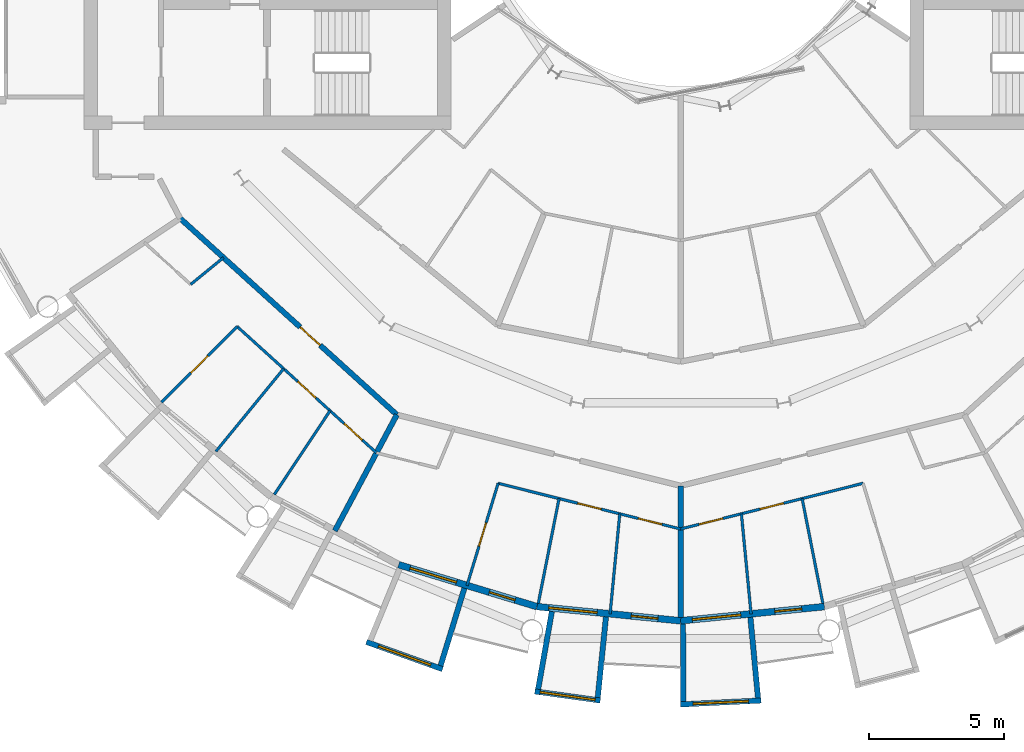
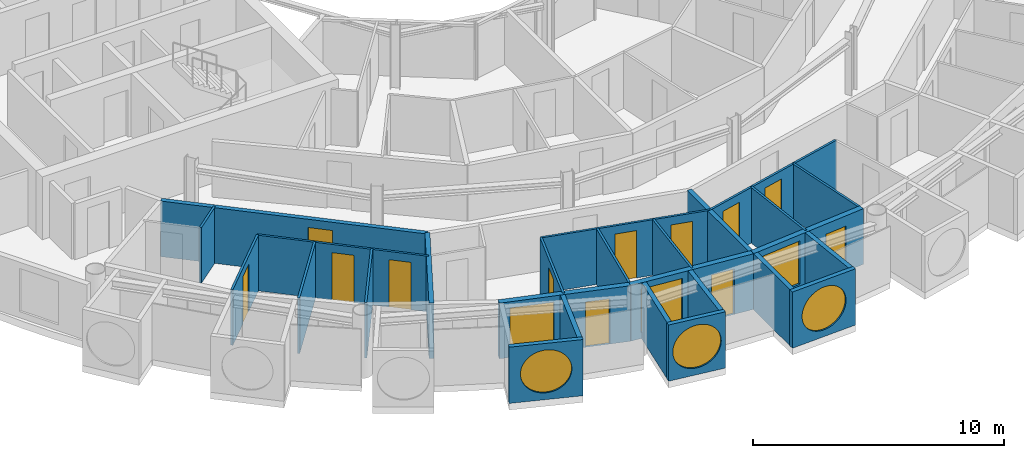
# One storey, part 14 of 27: 26 walls, 12 doors, 6 windows, 18 openings.
"""IFC4 building model written with IfcOpenShell, lengths in metres."""

from ifc_helpers import new_model, si_unit, direction, frame, frame_2d, origin, place, context, subcontext, project, spatial, rectangle, circle, extrude, material, layer, layer_set, type_object, element, fill, save


model = new_model("IFC4")

# Units and contexts
model_context = context("Model", 3, precision=1e-05, world=origin(), true_north=direction((0.0, 1.0)))
body_context = subcontext(model_context, "Body", "Model", "MODEL_VIEW")
ifc_project = project(units=[si_unit("LENGTHUNIT", "METRE"), si_unit("AREAUNIT", "SQUARE_METRE"), si_unit("VOLUMEUNIT", "CUBIC_METRE"), si_unit("PLANEANGLEUNIT", "RADIAN"), si_unit("MASSUNIT", "GRAM", prefix="KILO")], contexts=[model_context])

# Site, building, storey
site_placement = place(None, origin())
site = spatial("IfcSite", under=ifc_project, at=site_placement, CompositionType="ELEMENT")
building_placement = place(site_placement, origin())
building = spatial("IfcBuilding", under=site, at=building_placement, Name="Maasbend Ring Residences", CompositionType="ELEMENT")
storey_placement = place(building_placement, frame((0.0, 0.0, 164.64990234375)))
storey = spatial("IfcBuildingStorey", under=building, at=storey_placement, Name="L47", CompositionType="ELEMENT", Elevation=164.64990234375)

# Wall, opening, door
ifc_material_1 = material(Name="Concrete C30/37", Category="concrete")
ifc_layer_1 = layer(ifc_material_1, 0.199951171875)
ifc_layer_set_1 = layer_set([ifc_layer_1], Name="Concrete C30/37")
wall_type_1 = type_object("IfcWallType", Name="CORRIDOR WALL 200 CONCRETE", PredefinedType="PARTITIONING", material=ifc_layer_set_1)
wall_1_placement = place(storey_placement, frame((-18.5419921875, -12.388916015625, 0.0), z_axis=(0.0, 0.0, 1.0), x_axis=(0.740947367223, -0.671563101283, 0.0)))
wall_1 = element("IfcWall", 1, at=wall_1_placement, inside=storey, type_object=wall_type_1, Name="U-L47-w013", PredefinedType="PARTITIONING", context=body_context, shape_type="SweptSolid", body=[
    extrude(rectangle(XDim=10.83740234375, YDim=0.199951171875, at=frame_2d((5.418701171875, 0.0))), origin(), (0.0, 0.0, 1.0), 2.7001953125),
])
opening_1_placement = place(wall_1_placement, frame((6.001953125, 0.0, 0.0)))
opening_1 = element("IfcOpeningElement", 2, at=opening_1_placement, cuts=wall_1, Name="Opening D-4732", PredefinedType="OPENING", context=body_context, shape_type="SweptSolid", body=[
    extrude(rectangle(XDim=1.0, YDim=2.300048828125, at=frame_2d((0.5, 1.14990234375))), frame((0.0, 0.10986328125, 0.0), z_axis=(0.0, -1.0, 0.0), x_axis=(1.0, 0.0, 0.0)), (0.0, 0.0, 1.0), 0.219970703125),
])
ifc_material_2 = material(Name="Timber, fire-rated, painted", Category="wood")
door_type_1 = type_object("IfcDoorType", Name="FLAT ENTRANCE DOOR 1000 X 2300 FIRE-RATED", OperationType="NOTDEFINED", PredefinedType="DOOR", material=ifc_material_2)
door_1_placement = place(opening_1_placement, origin())
door_1 = element("IfcDoor", 3, at=door_1_placement, inside=storey, type_object=door_type_1, Name="D-4732", OperationType="SINGLE_SWING_RIGHT", OverallHeight=2.300048828125, OverallWidth=1.0, PredefinedType="DOOR", context=body_context, shape_type="SweptSolid", body=[
    extrude(rectangle(XDim=1.0, YDim=2.300048828125, at=frame_2d((0.5, 1.14990234375))), frame((0.0, 0.02490234375, 0.0), z_axis=(0.0, -1.0, 0.0), x_axis=(1.0, 0.0, 0.0)), (0.0, 0.0, 1.0), 0.050048828125),
])
fill(opening_1, door_1)

# Wall, opening, window
ifc_material_3 = material(Name="Pale anodised aluminium panel", Category="aluminium")
ifc_layer_2 = layer(ifc_material_3, 0.199951171875)
ifc_layer_set_2 = layer_set([ifc_layer_2], Name="EW-BOX")
wall_type_2 = type_object("IfcWallType", Name="EW-BOX", PredefinedType="SOLIDWALL", material=ifc_layer_set_2)
wall_2_placement = place(storey_placement, frame((-11.637939453125, -28.083984375, -0.02978515625), z_axis=(0.0, 0.0, 1.0), x_axis=(0.941461077774, -0.337121697664, 0.0)))
wall_2 = element("IfcWall", 4, at=wall_2_placement, inside=storey, type_object=wall_type_2, Name="Box front S07", PredefinedType="SOLIDWALL", context=body_context, shape_type="SweptSolid", body=[
    extrude(rectangle(XDim=2.9931640625, YDim=0.199951171875, at=frame_2d((1.49658203125, 0.0))), origin(), (0.0, 0.0, 1.0), 2.72998046875),
])
opening_2_placement = place(wall_2_placement, frame((0.45654296875, 0.0, 0.330078125)))
opening_2 = element("IfcOpeningElement", 5, at=opening_2_placement, cuts=wall_2, Name="Opening W-RD", PredefinedType="OPENING", context=body_context, shape_type="SweptSolid", body=[
    extrude(circle(Radius=1.0400390625, at=frame_2d((1.0400390625, 1.0400390625))), frame((0.0, 0.10986328125, 0.0), z_axis=(0.0, -1.0, 0.0), x_axis=(1.0, 0.0, 0.0)), (0.0, 0.0, 1.0), 0.219970703125),
])
ifc_material_4 = material(Name="Aluminium and clear glass", Category="aluminium")
window_type_1 = type_object("IfcWindowType", Name="W-RD", PartitioningType="SINGLE_PANEL", PredefinedType="WINDOW", material=ifc_material_4)
window_1_placement = place(opening_2_placement, origin())
window_1 = element("IfcWindow", 6, at=window_1_placement, inside=storey, type_object=window_type_1, Name="Round window S07", OverallHeight=2.080078125, OverallWidth=2.080078125, PartitioningType="SINGLE_PANEL", PredefinedType="WINDOW", context=body_context, shape_type="SweptSolid", body=[
    extrude(circle(Radius=1.0400390625, at=frame_2d((1.0400390625, 1.0400390625))), frame((0.0, 0.030029296875, 0.0), z_axis=(0.0, -1.0, 0.0), x_axis=(1.0, 0.0, 0.0)), (0.0, 0.0, 1.0), 0.06005859375),
])
fill(opening_2, window_1)

# Wall
wall_3_placement = place(storey_placement, frame((-8.009033203125, -26.092041015625, -0.02978515625), z_axis=(0.0, 0.0, 1.0), x_axis=(-0.293406695073, -0.955987715029, 0.0)))
element("IfcWall", 7, at=wall_3_placement, inside=storey, type_object=wall_type_2, Name="Box side wall S07 right", PredefinedType="SOLIDWALL", context=body_context, shape_type="SweptSolid", body=[
    extrude(rectangle(XDim=3.00634765625, YDim=0.199951171875, at=frame_2d((1.503173828125, 0.0))), origin(), (0.0, 0.0, 1.0), 2.72998046875),
])

# Wall, opening, window
wall_4_placement = place(storey_placement, frame((-5.39794921875, -29.9169921875, -0.02978515625), z_axis=(0.0, 0.0, 1.0), x_axis=(0.990462016113, -0.137786046596, 0.0)))
wall_4 = element("IfcWall", 8, at=wall_4_placement, inside=storey, type_object=wall_type_2, Name="Box front S09", PredefinedType="SOLIDWALL", context=body_context, shape_type="SweptSolid", body=[
    extrude(rectangle(XDim=2.4453125, YDim=0.199951171875, at=frame_2d((1.22265625, 0.0))), origin(), (0.0, 0.0, 1.0), 2.72998046875),
])
opening_3_placement = place(wall_4_placement, frame((0.182861328125, 0.0, 0.330078125)))
opening_3 = element("IfcOpeningElement", 9, at=opening_3_placement, cuts=wall_4, Name="Opening W-RD", PredefinedType="OPENING", context=body_context, shape_type="SweptSolid", body=[
    extrude(circle(Radius=1.0400390625, at=frame_2d((1.0400390625, 1.0400390625))), frame((0.0, 0.10986328125, 0.0), z_axis=(0.0, -1.0, 0.0), x_axis=(1.0, 0.0, 0.0)), (0.0, 0.0, 1.0), 0.219970703125),
])
window_2_placement = place(opening_3_placement, origin())
window_2 = element("IfcWindow", 10, at=window_2_placement, inside=storey, type_object=window_type_1, Name="Round window S09", OverallHeight=2.080078125, OverallWidth=2.080078125, PartitioningType="SINGLE_PANEL", PredefinedType="WINDOW", context=body_context, shape_type="SweptSolid", body=[
    extrude(circle(Radius=1.0400390625, at=frame_2d((1.0400390625, 1.0400390625))), frame((0.0, 0.030029296875, 0.0), z_axis=(0.0, -1.0, 0.0), x_axis=(1.0, 0.0, 0.0)), (0.0, 0.0, 1.0), 0.06005859375),
])
fill(opening_3, window_2)

# Walls
wall_5_placement = place(storey_placement, frame((-4.76904296875, -26.9560546875, -0.02978515625), z_axis=(0.0, 0.0, 1.0), x_axis=(-0.174056778901, -0.984735618183, 0.0)))
element("IfcWall", 11, at=wall_5_placement, inside=storey, type_object=wall_type_2, Name="Box side wall S09 left", PredefinedType="SOLIDWALL", context=body_context, shape_type="SweptSolid", body=[
    extrude(rectangle(XDim=2.924560546875, YDim=0.199951171875, at=frame_2d((1.46240234375, 0.0))), origin(), (0.0, 0.0, 1.0), 2.72998046875),
])
wall_6_placement = place(storey_placement, frame((-2.763916015625, -27.153076171875, -0.02978515625), z_axis=(0.0, 0.0, 1.0), x_axis=(-0.101505487237, -0.994834979311, 0.0)))
element("IfcWall", 12, at=wall_6_placement, inside=storey, type_object=wall_type_2, Name="Box side wall S09 right", PredefinedType="SOLIDWALL", context=body_context, shape_type="SweptSolid", body=[
    extrude(rectangle(XDim=3.006591796875, YDim=0.199951171875, at=frame_2d((1.50341796875, 0.0))), origin(), (0.0, 0.0, 1.0), 2.72998046875),
])

# Wall, opening, window
wall_7_placement = place(storey_placement, frame((-0.0048828125, -30.39990234375, -0.02978515625), z_axis=(0.0, 0.0, 1.0), x_axis=(0.998794083011, 0.049095618353, 0.0)))
wall_7 = element("IfcWall", 13, at=wall_7_placement, inside=storey, type_object=wall_type_2, Name="Box front S11", PredefinedType="SOLIDWALL", context=body_context, shape_type="SweptSolid", body=[
    extrude(rectangle(XDim=2.99365234375, YDim=0.199951171875, at=frame_2d((1.496826171875, 0.0))), origin(), (0.0, 0.0, 1.0), 2.72998046875),
])
opening_4_placement = place(wall_7_placement, frame((0.45654296875, 0.0, 0.330078125)))
opening_4 = element("IfcOpeningElement", 14, at=opening_4_placement, cuts=wall_7, Name="Opening W-RD", PredefinedType="OPENING", context=body_context, shape_type="SweptSolid", body=[
    extrude(circle(Radius=1.0400390625, at=frame_2d((1.0400390625, 1.0400390625))), frame((0.0, 0.10986328125, 0.0), z_axis=(0.0, -1.0, 0.0), x_axis=(1.0, 0.0, 0.0)), (0.0, 0.0, 1.0), 0.219970703125),
])
window_3_placement = place(opening_4_placement, origin())
window_3 = element("IfcWindow", 15, at=window_3_placement, inside=storey, type_object=window_type_1, Name="Round window S11", OverallHeight=2.080078125, OverallWidth=2.080078125, PartitioningType="SINGLE_PANEL", PredefinedType="WINDOW", context=body_context, shape_type="SweptSolid", body=[
    extrude(circle(Radius=1.0400390625, at=frame_2d((1.0400390625, 1.0400390625))), frame((0.0, 0.030029296875, 0.0), z_axis=(0.0, -1.0, 0.0), x_axis=(1.0, 0.0, 0.0)), (0.0, 0.0, 1.0), 0.06005859375),
])
fill(opening_4, window_3)

# Walls
wall_8_placement = place(storey_placement, frame((0.090087890625, -27.4169921875, -0.02978515625), z_axis=(0.0, 0.0, 1.0), x_axis=(0.00347308367, -0.999993968827, 0.0)))
element("IfcWall", 16, at=wall_8_placement, inside=storey, type_object=wall_type_2, Name="Box side wall S11 left", PredefinedType="SOLIDWALL", context=body_context, shape_type="SweptSolid", body=[
    extrude(rectangle(XDim=2.882080078125, YDim=0.199951171875, at=frame_2d((1.44091796875, 0.0))), origin(), (0.0, 0.0, 1.0), 2.72998046875),
])
wall_9_placement = place(storey_placement, frame((2.5859375, -27.1708984375, -0.02978515625), z_axis=(0.0, 0.0, 1.0), x_axis=(0.094548432284, -0.995520262954, 0.0)))
element("IfcWall", 17, at=wall_9_placement, inside=storey, type_object=wall_type_2, Name="Box side wall S11 right", PredefinedType="SOLIDWALL", context=body_context, shape_type="SweptSolid", body=[
    extrude(rectangle(XDim=3.005615234375, YDim=0.199951171875, at=frame_2d((1.5029296875, 0.0))), origin(), (0.0, 0.0, 1.0), 2.72998046875),
])

# Wall, openings, door, window
ifc_material_5 = material(Name="Aluminium clad insulated panel", Category="aluminium")
ifc_layer_3 = layer(ifc_material_5, 0.25)
ifc_layer_set_3 = layer_set([ifc_layer_3], Name="EW-GL")
wall_type_3 = type_object("IfcWallType", Name="EW-GL", PredefinedType="SOLIDWALL", material=ifc_layer_set_3)
wall_10_placement = place(storey_placement, frame((-10.447021484375, -25.221923828125, 0.0), z_axis=(0.0, 0.0, 1.0), x_axis=(0.956965678721, -0.290201119486, 0.0)))
wall_10 = element("IfcWall", 18, at=wall_10_placement, inside=storey, type_object=wall_type_3, Name="External wall S04", PredefinedType="SOLIDWALL", context=body_context, shape_type="SweptSolid", body=[
    extrude(rectangle(XDim=5.351318359375, YDim=0.25, at=frame_2d((2.67578125, 0.0))), origin(), (0.0, 0.0, 1.0), 2.7001953125),
])
opening_5_placement = place(wall_10_placement, frame((0.441162109375, 0.0, 0.300048828125)))
opening_5 = element("IfcOpeningElement", 19, at=opening_5_placement, cuts=wall_10, Name="Opening W-BX", PredefinedType="OPENING", context=body_context, shape_type="SweptSolid", body=[
    extrude(rectangle(XDim=1.800048828125, YDim=2.10009765625, at=frame_2d((0.89990234375, 1.050048828125))), frame((0.0, 0.135009765625, 0.0), z_axis=(0.0, -1.0, 0.0), x_axis=(1.0, 0.0, 0.0)), (0.0, 0.0, 1.0), 0.27001953125),
])
opening_6_placement = place(wall_10_placement, frame((3.510498046875, 0.0, 0.0)))
opening_6 = element("IfcOpeningElement", 20, at=opening_6_placement, cuts=wall_10, Name="Opening D-LG", PredefinedType="OPENING", context=body_context, shape_type="SweptSolid", body=[
    extrude(rectangle(XDim=1.0, YDim=2.199951171875, at=frame_2d((0.5, 1.10009765625))), frame((0.0, 0.135009765625, 0.0), z_axis=(0.0, -1.0, 0.0), x_axis=(1.0, 0.0, 0.0)), (0.0, 0.0, 1.0), 0.27001953125),
])
ifc_material_6 = material(Name="Aluminium and clear glass", Category="aluminium")
door_type_2 = type_object("IfcDoorType", Name="D-LG", OperationType="SINGLE_SWING_LEFT", PredefinedType="DOOR", material=ifc_material_6)
door_2_placement = place(opening_6_placement, origin())
door_2 = element("IfcDoor", 21, at=door_2_placement, inside=storey, type_object=door_type_2, Name="Loggia door S08", OperationType="SINGLE_SWING_LEFT", OverallHeight=2.199951171875, OverallWidth=1.0, PredefinedType="DOOR", context=body_context, shape_type="SweptSolid", body=[
    extrude(rectangle(XDim=1.0, YDim=2.199951171875, at=frame_2d((0.5, 1.10009765625))), frame((0.0, 0.02490234375, 0.0), z_axis=(0.0, -1.0, 0.0), x_axis=(1.0, 0.0, 0.0)), (0.0, 0.0, 1.0), 0.050048828125),
])
fill(opening_6, door_2)
ifc_material_7 = material(Name="Aluminium and clear glass", Category="aluminium")
window_type_2 = type_object("IfcWindowType", Name="W-BX", PartitioningType="DOUBLE_PANEL_VERTICAL", PredefinedType="WINDOW", material=ifc_material_7)
window_4_placement = place(opening_5_placement, origin())
window_4 = element("IfcWindow", 22, at=window_4_placement, inside=storey, type_object=window_type_2, Name="Window S07 room to box", OverallHeight=2.10009765625, OverallWidth=1.800048828125, PartitioningType="SINGLE_PANEL", PredefinedType="WINDOW", context=body_context, shape_type="SweptSolid", body=[
    extrude(rectangle(XDim=1.800048828125, YDim=2.10009765625, at=frame_2d((0.89990234375, 1.050048828125))), frame((0.0, 0.030029296875, 0.0), z_axis=(0.0, -1.0, 0.0), x_axis=(1.0, 0.0, 0.0)), (0.0, 0.0, 1.0), 0.06005859375),
])
fill(opening_5, window_4)

wall_11_placement = place(storey_placement, frame((-5.325927734375, -26.77490234375, 0.0), z_axis=(0.0, 0.0, 1.0), x_axis=(0.995173996315, -0.098126026407, 0.0)))
wall_11 = element("IfcWall", 23, at=wall_11_placement, inside=storey, type_object=wall_type_3, Name="External wall S05", PredefinedType="SOLIDWALL", context=body_context, shape_type="SweptSolid", body=[
    extrude(rectangle(XDim=5.351806640625, YDim=0.25, at=frame_2d((2.67578125, 0.0))), origin(), (0.0, 0.0, 1.0), 2.7001953125),
])
opening_7_placement = place(wall_11_placement, frame((0.441162109375, 0.0, 0.300048828125)))
opening_7 = element("IfcOpeningElement", 24, at=opening_7_placement, cuts=wall_11, Name="Opening W-BX", PredefinedType="OPENING", context=body_context, shape_type="SweptSolid", body=[
    extrude(rectangle(XDim=1.800048828125, YDim=2.10009765625, at=frame_2d((0.89990234375, 1.050048828125))), frame((0.0, 0.135009765625, 0.0), z_axis=(0.0, -1.0, 0.0), x_axis=(1.0, 0.0, 0.0)), (0.0, 0.0, 1.0), 0.27001953125),
])
opening_8_placement = place(wall_11_placement, frame((3.510498046875, 0.0, 0.0)))
opening_8 = element("IfcOpeningElement", 25, at=opening_8_placement, cuts=wall_11, Name="Opening D-LG", PredefinedType="OPENING", context=body_context, shape_type="SweptSolid", body=[
    extrude(rectangle(XDim=1.0, YDim=2.199951171875, at=frame_2d((0.5, 1.10009765625))), frame((0.0, 0.135009765625, 0.0), z_axis=(0.0, -1.0, 0.0), x_axis=(1.0, 0.0, 0.0)), (0.0, 0.0, 1.0), 0.27001953125),
])
door_3_placement = place(opening_8_placement, origin())
door_3 = element("IfcDoor", 26, at=door_3_placement, inside=storey, type_object=door_type_2, Name="Loggia door S10", OperationType="SINGLE_SWING_LEFT", OverallHeight=2.199951171875, OverallWidth=1.0, PredefinedType="DOOR", context=body_context, shape_type="SweptSolid", body=[
    extrude(rectangle(XDim=1.0, YDim=2.199951171875, at=frame_2d((0.5, 1.10009765625))), frame((0.0, 0.02490234375, 0.0), z_axis=(0.0, -1.0, 0.0), x_axis=(1.0, 0.0, 0.0)), (0.0, 0.0, 1.0), 0.050048828125),
])
fill(opening_8, door_3)
window_5_placement = place(opening_7_placement, origin())
window_5 = element("IfcWindow", 27, at=window_5_placement, inside=storey, type_object=window_type_2, Name="Window S09 room to box", OverallHeight=2.10009765625, OverallWidth=1.800048828125, PartitioningType="SINGLE_PANEL", PredefinedType="WINDOW", context=body_context, shape_type="SweptSolid", body=[
    extrude(rectangle(XDim=1.800048828125, YDim=2.10009765625, at=frame_2d((0.89990234375, 1.050048828125))), frame((0.0, 0.030029296875, 0.0), z_axis=(0.0, -1.0, 0.0), x_axis=(1.0, 0.0, 0.0)), (0.0, 0.0, 1.0), 0.06005859375),
])
fill(opening_7, window_5)

wall_12_placement = place(storey_placement, frame((0.0, -27.300048828125, 0.0), z_axis=(0.0, 0.0, 1.0), x_axis=(0.995173996315, 0.098126026407, 0.0)))
wall_12 = element("IfcWall", 28, at=wall_12_placement, inside=storey, type_object=wall_type_3, Name="External wall S06", PredefinedType="SOLIDWALL", context=body_context, shape_type="SweptSolid", body=[
    extrude(rectangle(XDim=5.351806640625, YDim=0.25, at=frame_2d((2.67578125, 0.0))), origin(), (0.0, 0.0, 1.0), 2.7001953125),
])
opening_9_placement = place(wall_12_placement, frame((0.441162109375, 0.0, 0.300048828125)))
opening_9 = element("IfcOpeningElement", 29, at=opening_9_placement, cuts=wall_12, Name="Opening W-BX", PredefinedType="OPENING", context=body_context, shape_type="SweptSolid", body=[
    extrude(rectangle(XDim=1.800048828125, YDim=2.10009765625, at=frame_2d((0.89990234375, 1.050048828125))), frame((0.0, 0.135009765625, 0.0), z_axis=(0.0, -1.0, 0.0), x_axis=(1.0, 0.0, 0.0)), (0.0, 0.0, 1.0), 0.27001953125),
])
opening_10_placement = place(wall_12_placement, frame((3.510498046875, 0.0, 0.0)))
opening_10 = element("IfcOpeningElement", 30, at=opening_10_placement, cuts=wall_12, Name="Opening D-LG", PredefinedType="OPENING", context=body_context, shape_type="SweptSolid", body=[
    extrude(rectangle(XDim=1.0, YDim=2.199951171875, at=frame_2d((0.5, 1.10009765625))), frame((0.0, 0.135009765625, 0.0), z_axis=(0.0, -1.0, 0.0), x_axis=(1.0, 0.0, 0.0)), (0.0, 0.0, 1.0), 0.27001953125),
])
door_4_placement = place(opening_10_placement, origin())
door_4 = element("IfcDoor", 31, at=door_4_placement, inside=storey, type_object=door_type_2, Name="Loggia door S12", OperationType="SINGLE_SWING_LEFT", OverallHeight=2.199951171875, OverallWidth=1.0, PredefinedType="DOOR", context=body_context, shape_type="SweptSolid", body=[
    extrude(rectangle(XDim=1.0, YDim=2.199951171875, at=frame_2d((0.5, 1.10009765625))), frame((0.0, 0.02490234375, 0.0), z_axis=(0.0, -1.0, 0.0), x_axis=(1.0, 0.0, 0.0)), (0.0, 0.0, 1.0), 0.050048828125),
])
fill(opening_10, door_4)
window_6_placement = place(opening_9_placement, origin())
window_6 = element("IfcWindow", 32, at=window_6_placement, inside=storey, type_object=window_type_2, Name="Window S11 room to box", OverallHeight=2.10009765625, OverallWidth=1.800048828125, PartitioningType="SINGLE_PANEL", PredefinedType="WINDOW", context=body_context, shape_type="SweptSolid", body=[
    extrude(rectangle(XDim=1.800048828125, YDim=2.10009765625, at=frame_2d((0.89990234375, 1.050048828125))), frame((0.0, 0.030029296875, 0.0), z_axis=(0.0, -1.0, 0.0), x_axis=(1.0, 0.0, 0.0)), (0.0, 0.0, 1.0), 0.06005859375),
])
fill(opening_9, window_6)

# Wall, openings, doors
ifc_material_8 = material(Name="Gypsum board on steel studs", Category="steel")
ifc_layer_4 = layer(ifc_material_8, 0.10009765625)
ifc_layer_set_4 = layer_set([ifc_layer_4], Name="PARTITION 100 GYPSUM")
wall_type_4 = type_object("IfcWallType", Name="PARTITION 100 GYPSUM", PredefinedType="PARTITIONING", material=ifc_layer_set_4)
wall_13_placement = place(storey_placement, frame((-16.431884765625, -16.39599609375, 0.0), z_axis=(0.0, 0.0, 1.0), x_axis=(0.740901429238, -0.671613781986, 0.0)))
wall_13 = element("IfcWall", 33, at=wall_13_placement, inside=storey, type_object=wall_type_4, Name="U-L47-w002", PredefinedType="PARTITIONING", context=body_context, shape_type="SweptSolid", body=[
    extrude(rectangle(XDim=6.9697265625, YDim=0.10009765625, at=frame_2d((3.48486328125, 0.0))), origin(), (0.0, 0.0, 1.0), 2.7001953125),
])
opening_11_placement = place(wall_13_placement, frame((3.0380859375, 0.0, 0.0)))
opening_11 = element("IfcOpeningElement", 34, at=opening_11_placement, cuts=wall_13, Name="Opening D-4735", PredefinedType="OPENING", context=body_context, shape_type="SweptSolid", body=[
    extrude(rectangle(XDim=0.89990234375, YDim=2.300048828125, at=frame_2d((0.449951171875, 1.14990234375))), frame((0.0, 0.06005859375, 0.0), z_axis=(0.0, -1.0, 0.0), x_axis=(1.0, 0.0, 0.0)), (0.0, 0.0, 1.0), 0.1201171875),
])
opening_12_placement = place(wall_13_placement, frame((5.360107421875, 0.0, 0.0)))
opening_12 = element("IfcOpeningElement", 35, at=opening_12_placement, cuts=wall_13, Name="Opening D-4736", PredefinedType="OPENING", context=body_context, shape_type="SweptSolid", body=[
    extrude(rectangle(XDim=0.89990234375, YDim=2.300048828125, at=frame_2d((0.449951171875, 1.14990234375))), frame((0.0, 0.06005859375, 0.0), z_axis=(0.0, -1.0, 0.0), x_axis=(1.0, 0.0, 0.0)), (0.0, 0.0, 1.0), 0.1201171875),
])
ifc_material_9 = material(Name="Timber, painted", Category="wood")
door_type_3 = type_object("IfcDoorType", Name="INTERNAL DOOR 900 X 2300", OperationType="NOTDEFINED", PredefinedType="DOOR", material=ifc_material_9)
door_5_placement = place(opening_11_placement, origin())
door_5 = element("IfcDoor", 36, at=door_5_placement, inside=storey, type_object=door_type_3, Name="D-4735", OperationType="SINGLE_SWING_RIGHT", OverallHeight=2.300048828125, OverallWidth=0.89990234375, PredefinedType="DOOR", context=body_context, shape_type="SweptSolid", body=[
    extrude(rectangle(XDim=0.89990234375, YDim=2.300048828125, at=frame_2d((0.449951171875, 1.14990234375))), frame((0.0, 0.02490234375, 0.0), z_axis=(0.0, -1.0, 0.0), x_axis=(1.0, 0.0, 0.0)), (0.0, 0.0, 1.0), 0.050048828125),
])
fill(opening_11, door_5)
door_6_placement = place(opening_12_placement, origin())
door_6 = element("IfcDoor", 37, at=door_6_placement, inside=storey, type_object=door_type_3, Name="D-4736", OperationType="SINGLE_SWING_RIGHT", OverallHeight=2.300048828125, OverallWidth=0.89990234375, PredefinedType="DOOR", context=body_context, shape_type="SweptSolid", body=[
    extrude(rectangle(XDim=0.89990234375, YDim=2.300048828125, at=frame_2d((0.449951171875, 1.14990234375))), frame((0.0, 0.02490234375, 0.0), z_axis=(0.0, -1.0, 0.0), x_axis=(1.0, 0.0, 0.0)), (0.0, 0.0, 1.0), 0.050048828125),
])
fill(opening_12, door_6)

wall_14_placement = place(storey_placement, frame((-6.761962890625, -22.2060546875, 0.0), z_axis=(0.0, 0.0, 1.0), x_axis=(0.97002908491, -0.242988836015, 0.0)))
wall_14 = element("IfcWall", 38, at=wall_14_placement, inside=storey, type_object=wall_type_4, Name="U-L47-w004", PredefinedType="PARTITIONING", context=body_context, shape_type="SweptSolid", body=[
    extrude(rectangle(XDim=6.970947265625, YDim=0.10009765625, at=frame_2d((3.4853515625, 0.0))), origin(), (0.0, 0.0, 1.0), 2.7001953125),
])
opening_13_placement = place(wall_14_placement, frame((3.0390625, 0.0, 0.0)))
opening_13 = element("IfcOpeningElement", 39, at=opening_13_placement, cuts=wall_14, Name="Opening D-4740", PredefinedType="OPENING", context=body_context, shape_type="SweptSolid", body=[
    extrude(rectangle(XDim=0.89990234375, YDim=2.300048828125, at=frame_2d((0.449951171875, 1.14990234375))), frame((0.0, 0.06005859375, 0.0), z_axis=(0.0, -1.0, 0.0), x_axis=(1.0, 0.0, 0.0)), (0.0, 0.0, 1.0), 0.1201171875),
])
opening_14_placement = place(wall_14_placement, frame((5.35791015625, 0.0, 0.0)))
opening_14 = element("IfcOpeningElement", 40, at=opening_14_placement, cuts=wall_14, Name="Opening D-4741", PredefinedType="OPENING", context=body_context, shape_type="SweptSolid", body=[
    extrude(rectangle(XDim=0.89990234375, YDim=2.300048828125, at=frame_2d((0.449951171875, 1.14990234375))), frame((0.0, 0.06005859375, 0.0), z_axis=(0.0, -1.0, 0.0), x_axis=(1.0, 0.0, 0.0)), (0.0, 0.0, 1.0), 0.1201171875),
])
door_7_placement = place(opening_13_placement, origin())
door_7 = element("IfcDoor", 41, at=door_7_placement, inside=storey, type_object=door_type_3, Name="D-4740", OperationType="SINGLE_SWING_RIGHT", OverallHeight=2.300048828125, OverallWidth=0.89990234375, PredefinedType="DOOR", context=body_context, shape_type="SweptSolid", body=[
    extrude(rectangle(XDim=0.89990234375, YDim=2.300048828125, at=frame_2d((0.449951171875, 1.14990234375))), frame((0.0, 0.02490234375, 0.0), z_axis=(0.0, -1.0, 0.0), x_axis=(1.0, 0.0, 0.0)), (0.0, 0.0, 1.0), 0.050048828125),
])
fill(opening_13, door_7)
door_8_placement = place(opening_14_placement, origin())
door_8 = element("IfcDoor", 42, at=door_8_placement, inside=storey, type_object=door_type_3, Name="D-4741", OperationType="SINGLE_SWING_RIGHT", OverallHeight=2.300048828125, OverallWidth=0.89990234375, PredefinedType="DOOR", context=body_context, shape_type="SweptSolid", body=[
    extrude(rectangle(XDim=0.89990234375, YDim=2.300048828125, at=frame_2d((0.449951171875, 1.14990234375))), frame((0.0, 0.02490234375, 0.0), z_axis=(0.0, -1.0, 0.0), x_axis=(1.0, 0.0, 0.0)), (0.0, 0.0, 1.0), 0.050048828125),
])
fill(opening_14, door_8)

wall_15_placement = place(storey_placement, frame((0.0, -23.89990234375, 0.0), z_axis=(0.0, 0.0, 1.0), x_axis=(0.97002908491, 0.242988836015, 0.0)))
wall_15 = element("IfcWall", 43, at=wall_15_placement, inside=storey, type_object=wall_type_4, Name="U-L47-w005", PredefinedType="PARTITIONING", context=body_context, shape_type="SweptSolid", body=[
    extrude(rectangle(XDim=6.970947265625, YDim=0.10009765625, at=frame_2d((3.4853515625, 0.0))), origin(), (0.0, 0.0, 1.0), 2.7001953125),
])
opening_15_placement = place(wall_15_placement, frame((3.031982421875, 0.0, 0.0)))
opening_15 = element("IfcOpeningElement", 44, at=opening_15_placement, cuts=wall_15, Name="Opening D-4745", PredefinedType="OPENING", context=body_context, shape_type="SweptSolid", body=[
    extrude(rectangle(XDim=0.89990234375, YDim=2.300048828125, at=frame_2d((0.449951171875, 1.14990234375))), frame((0.0, 0.06005859375, 0.0), z_axis=(0.0, -1.0, 0.0), x_axis=(1.0, 0.0, 0.0)), (0.0, 0.0, 1.0), 0.1201171875),
])
opening_16_placement = place(wall_15_placement, frame((0.7119140625, 0.0, 0.0)))
opening_16 = element("IfcOpeningElement", 45, at=opening_16_placement, cuts=wall_15, Name="Opening D-4746", PredefinedType="OPENING", context=body_context, shape_type="SweptSolid", body=[
    extrude(rectangle(XDim=0.89990234375, YDim=2.300048828125, at=frame_2d((0.449951171875, 1.14990234375))), frame((0.0, 0.06005859375, 0.0), z_axis=(0.0, -1.0, 0.0), x_axis=(1.0, 0.0, 0.0)), (0.0, 0.0, 1.0), 0.1201171875),
])
door_9_placement = place(opening_15_placement, origin())
door_9 = element("IfcDoor", 46, at=door_9_placement, inside=storey, type_object=door_type_3, Name="D-4745", OperationType="SINGLE_SWING_LEFT", OverallHeight=2.300048828125, OverallWidth=0.89990234375, PredefinedType="DOOR", context=body_context, shape_type="SweptSolid", body=[
    extrude(rectangle(XDim=0.89990234375, YDim=2.300048828125, at=frame_2d((0.449951171875, 1.14990234375))), frame((0.0, 0.02490234375, 0.0), z_axis=(0.0, -1.0, 0.0), x_axis=(1.0, 0.0, 0.0)), (0.0, 0.0, 1.0), 0.050048828125),
])
fill(opening_15, door_9)
door_10_placement = place(opening_16_placement, origin())
door_10 = element("IfcDoor", 47, at=door_10_placement, inside=storey, type_object=door_type_3, Name="D-4746", OperationType="SINGLE_SWING_LEFT", OverallHeight=2.300048828125, OverallWidth=0.89990234375, PredefinedType="DOOR", context=body_context, shape_type="SweptSolid", body=[
    extrude(rectangle(XDim=0.89990234375, YDim=2.300048828125, at=frame_2d((0.449951171875, 1.14990234375))), frame((0.0, 0.02490234375, 0.0), z_axis=(0.0, -1.0, 0.0), x_axis=(1.0, 0.0, 0.0)), (0.0, 0.0, 1.0), 0.050048828125),
])
fill(opening_16, door_10)

# Wall, opening, door
wall_16_placement = place(storey_placement, frame((-19.23095703125, -19.199951171875, 0.0), z_axis=(0.0, 0.0, 1.0), x_axis=(0.707722727509, 0.706490297858, 0.0)))
wall_16 = element("IfcWall", 48, at=wall_16_placement, inside=storey, type_object=wall_type_4, Name="U-L47-w035", PredefinedType="PARTITIONING", context=body_context, shape_type="SweptSolid", body=[
    extrude(rectangle(XDim=3.9619140625, YDim=0.10009765625, at=frame_2d((1.98095703125, 0.0))), origin(), (0.0, 0.0, 1.0), 2.7001953125),
])
opening_17_placement = place(wall_16_placement, frame((1.531005859375, 0.0, 0.0)))
opening_17 = element("IfcOpeningElement", 49, at=opening_17_placement, cuts=wall_16, Name="Opening D-4734", PredefinedType="OPENING", context=body_context, shape_type="SweptSolid", body=[
    extrude(rectangle(XDim=0.89990234375, YDim=2.300048828125, at=frame_2d((0.449951171875, 1.14990234375))), frame((0.0, 0.06005859375, 0.0), z_axis=(0.0, -1.0, 0.0), x_axis=(1.0, 0.0, 0.0)), (0.0, 0.0, 1.0), 0.1201171875),
])
door_11_placement = place(opening_17_placement, origin())
door_11 = element("IfcDoor", 50, at=door_11_placement, inside=storey, type_object=door_type_3, Name="D-4734", OperationType="SINGLE_SWING_LEFT", OverallHeight=2.300048828125, OverallWidth=0.89990234375, PredefinedType="DOOR", context=body_context, shape_type="SweptSolid", body=[
    extrude(rectangle(XDim=0.89990234375, YDim=2.300048828125, at=frame_2d((0.449951171875, 1.14990234375))), frame((0.0, 0.02490234375, 0.0), z_axis=(0.0, -1.0, 0.0), x_axis=(1.0, 0.0, 0.0)), (0.0, 0.0, 1.0), 0.050048828125),
])
fill(opening_17, door_11)

# Walls
wall_17_placement = place(storey_placement, frame((-18.15087890625, -14.837890625, 0.0), z_axis=(0.0, 0.0, 1.0), x_axis=(0.774283039722, 0.632839453889, 0.0)))
element("IfcWall", 51, at=wall_17_placement, inside=storey, type_object=wall_type_4, Name="U-L47-w037", PredefinedType="PARTITIONING", context=body_context, shape_type="SweptSolid", body=[
    extrude(rectangle(XDim=1.569091796875, YDim=0.10009765625, at=frame_2d((0.78466796875, 0.0))), origin(), (0.0, 0.0, 1.0), 2.7001953125),
])
wall_18_placement = place(storey_placement, frame((-17.216064453125, -21.02587890625, 0.0), z_axis=(0.0, 0.0, 1.0), x_axis=(0.633590098448, 0.773668913133, 0.0)))
element("IfcWall", 52, at=wall_18_placement, inside=storey, type_object=wall_type_4, Name="U-L47-w039", PredefinedType="PARTITIONING", context=body_context, shape_type="SweptSolid", body=[
    extrude(rectangle(XDim=3.961669921875, YDim=0.10009765625, at=frame_2d((1.98095703125, 0.0))), origin(), (0.0, 0.0, 1.0), 2.7001953125),
])
wall_19_placement = place(storey_placement, frame((-15.053955078125, -22.6240234375, 0.0), z_axis=(0.0, 0.0, 1.0), x_axis=(0.553823887887, 0.83263383381, 0.0)))
element("IfcWall", 53, at=wall_19_placement, inside=storey, type_object=wall_type_4, Name="U-L47-w040", PredefinedType="PARTITIONING", context=body_context, shape_type="SweptSolid", body=[
    extrude(rectangle(XDim=3.730224609375, YDim=0.10009765625, at=frame_2d((1.865234375, 0.0))), origin(), (0.0, 0.0, 1.0), 2.7001953125),
])

# Wall, opening, door
wall_20_placement = place(storey_placement, frame((-7.9140625, -25.9970703125, 0.0), z_axis=(0.0, 0.0, 1.0), x_axis=(0.291291575636, 0.956634317785, 0.0)))
wall_20 = element("IfcWall", 54, at=wall_20_placement, inside=storey, type_object=wall_type_4, Name="U-L47-w052", PredefinedType="PARTITIONING", context=body_context, shape_type="SweptSolid", body=[
    extrude(rectangle(XDim=3.9619140625, YDim=0.10009765625, at=frame_2d((1.98095703125, 0.0))), origin(), (0.0, 0.0, 1.0), 2.7001953125),
])
opening_18_placement = place(wall_20_placement, frame((1.531005859375, 0.0, 0.0)))
opening_18 = element("IfcOpeningElement", 55, at=opening_18_placement, cuts=wall_20, Name="Opening D-4739", PredefinedType="OPENING", context=body_context, shape_type="SweptSolid", body=[
    extrude(rectangle(XDim=0.89990234375, YDim=2.300048828125, at=frame_2d((0.449951171875, 1.14990234375))), frame((0.0, 0.06005859375, 0.0), z_axis=(0.0, -1.0, 0.0), x_axis=(1.0, 0.0, 0.0)), (0.0, 0.0, 1.0), 0.1201171875),
])
door_12_placement = place(opening_18_placement, origin())
door_12 = element("IfcDoor", 56, at=door_12_placement, inside=storey, type_object=door_type_3, Name="D-4739", OperationType="SINGLE_SWING_RIGHT", OverallHeight=2.300048828125, OverallWidth=0.89990234375, PredefinedType="DOOR", context=body_context, shape_type="SweptSolid", body=[
    extrude(rectangle(XDim=0.89990234375, YDim=2.300048828125, at=frame_2d((0.449951171875, 1.14990234375))), frame((0.0, 0.02490234375, 0.0), z_axis=(0.0, -1.0, 0.0), x_axis=(1.0, 0.0, 0.0)), (0.0, 0.0, 1.0), 0.050048828125),
])
fill(opening_18, door_12)

# Walls
wall_21_placement = place(storey_placement, frame((-5.27197265625, -26.658935546875, 0.0), z_axis=(0.0, 0.0, 1.0), x_axis=(0.194089507313, 0.980983824103, 0.0)))
element("IfcWall", 57, at=wall_21_placement, inside=storey, type_object=wall_type_4, Name="U-L47-w055", PredefinedType="PARTITIONING", context=body_context, shape_type="SweptSolid", body=[
    extrude(rectangle(XDim=3.96240234375, YDim=0.10009765625, at=frame_2d((1.981201171875, 0.0))), origin(), (0.0, 0.0, 1.0), 2.7001953125),
])
for number, where, z_axis, x_axis, name in (
    (58, (-2.612060546875, -27.049072265625, 0.0), (0.0, 0.0, 1.0), (0.09626981452, 0.995355274669, 0.0), "U-L47-w057"),
    (59, (2.2529296875, -23.3359375, 0.0), (0.0, 0.0, 1.0), (0.09626981452, -0.995355274669, 0.0), "U-L47-w063"),
):
    element("IfcWall", number, at=place(storey_placement, frame(where, z_axis=z_axis, x_axis=x_axis)), inside=storey, type_object=wall_type_4, Name=name, PredefinedType="PARTITIONING", context=body_context, shape_type="SweptSolid", body=[
        extrude(rectangle(XDim=3.73046875, YDim=0.10009765625, at=frame_2d((1.865234375, 0.0))), origin(), (0.0, 0.0, 1.0), 2.7001953125),
    ])
wall_22_placement = place(storey_placement, frame((4.5029296875, -22.77197265625, 0.0), z_axis=(0.0, 0.0, 1.0), x_axis=(0.194089507313, -0.980983824103, 0.0)))
element("IfcWall", 60, at=wall_22_placement, inside=storey, type_object=wall_type_4, Name="U-L47-w066", PredefinedType="PARTITIONING", context=body_context, shape_type="SweptSolid", body=[
    extrude(rectangle(XDim=3.96240234375, YDim=0.10009765625, at=frame_2d((1.981201171875, 0.0))), origin(), (0.0, 0.0, 1.0), 2.7001953125),
])
ifc_material_10 = material(Name="Concrete C30/37", Category="concrete")
ifc_layer_5 = layer(ifc_material_10, 0.199951171875)
ifc_layer_set_5 = layer_set([ifc_layer_5], Name="Concrete C30/37")
wall_type_5 = type_object("IfcWallType", Name="PARTY WALL 200 CONCRETE", PredefinedType="PARTITIONING", material=ifc_layer_set_5)
wall_23_placement = place(storey_placement, frame((-12.81005859375, -23.966064453125, 0.0), z_axis=(0.0, 0.0, 1.0), x_axis=(0.471427642527, 0.881904744211, 0.0)))
element("IfcWall", 61, at=wall_23_placement, inside=storey, type_object=wall_type_5, Name="U-L47-w043", PredefinedType="PARTITIONING", context=body_context, shape_type="SweptSolid", body=[
    extrude(rectangle(XDim=4.874755859375, YDim=0.199951171875, at=frame_2d((2.4375, 0.0))), origin(), (0.0, 0.0, 1.0), 2.7001953125),
])
wall_24_placement = place(storey_placement, frame((0.0, -27.175048828125, 0.0), z_axis=(0.0, 0.0, 1.0), x_axis=(0.0, 1.0, 0.0)))
element("IfcWall", 62, at=wall_24_placement, inside=storey, type_object=wall_type_5, Name="U-L47-w059", PredefinedType="PARTITIONING", context=body_context, shape_type="SweptSolid", body=[
    extrude(rectangle(XDim=4.875, YDim=0.199951171875, at=frame_2d((2.4375, 0.0))), origin(), (0.0, 0.0, 1.0), 2.7001953125),
])

save(model, "model.ifc")
